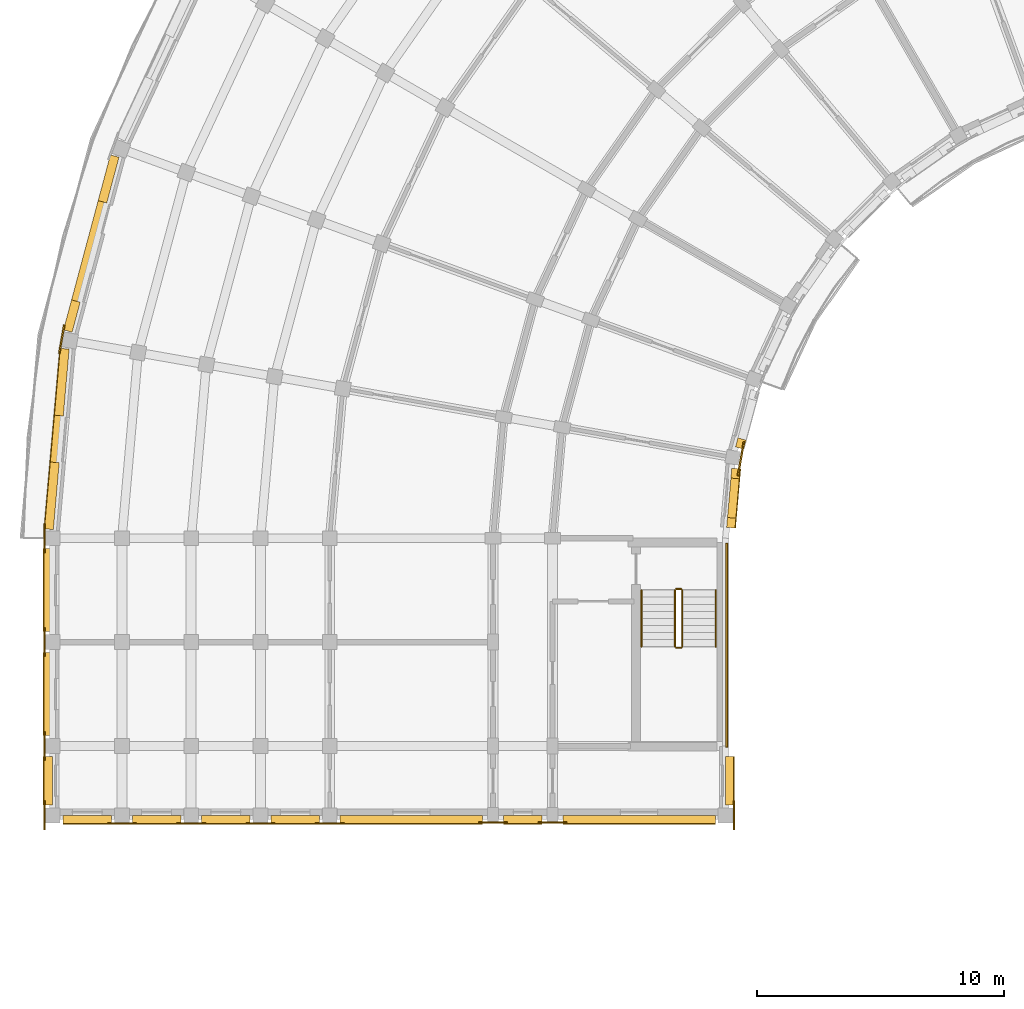
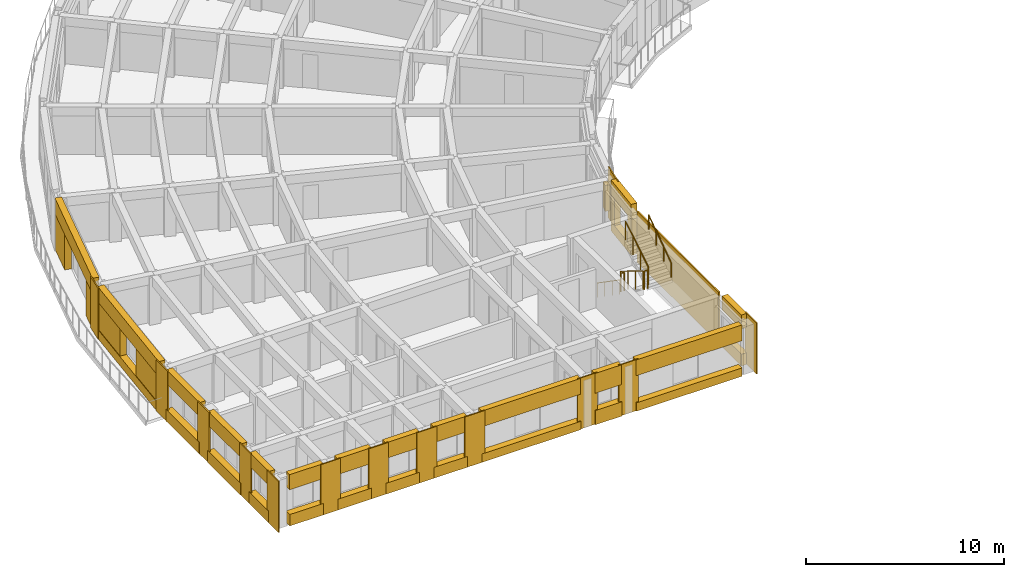
# One storey, part 26 of 36: 48 coverings, 6 railings.
"""IFC4 building model written with IfcOpenShell, lengths in metres."""

from ifc_helpers import new_model, si_unit, direction, frame, origin, origin_2d, place, context, subcontext, project, spatial, polyline, circle, outline, extrude, material, layer, layer_set, type_object, element, save


model = new_model("IFC4")

# Units and contexts
model_context = context("Model", 3, precision=1e-05, world=origin(), true_north=direction((0.0, 1.0)))
body_context = subcontext(model_context, "Body", "Model", "MODEL_VIEW")
ifc_project = project(units=[si_unit("LENGTHUNIT", "METRE"), si_unit("AREAUNIT", "SQUARE_METRE"), si_unit("VOLUMEUNIT", "CUBIC_METRE"), si_unit("PLANEANGLEUNIT", "RADIAN"), si_unit("MASSUNIT", "GRAM", prefix="KILO")], contexts=[model_context])

# Site, building, storey
site_placement = place(None, origin())
site = spatial("IfcSite", under=ifc_project, at=site_placement, CompositionType="ELEMENT")
building_placement = place(site_placement, origin())
building = spatial("IfcBuilding", under=site, at=building_placement, Name="Kiranvali Square Residences", CompositionType="ELEMENT")
storey_placement = place(building_placement, frame((0.0, 0.0, 37.050048828125)))
storey = spatial("IfcBuildingStorey", under=building, at=storey_placement, Name="L11", CompositionType="ELEMENT", Elevation=37.050048828125)

# Coverings
ifc_material_1 = material(Name="Honed Porbandar limestone ashlar facade cladding", Category="masonry")
ifc_layer_1 = layer(ifc_material_1, 0.3798828125)
ifc_layer_set_1 = layer_set([ifc_layer_1], Name="Honed Porbandar limestone ashlar facade cladding")
covering_type_1 = type_object("IfcCoveringType", Name="COV-CLAD-JAMB", PredefinedType="CLADDING", material=ifc_layer_set_1)
covering_1_placement = place(storey_placement, origin())
element("IfcCovering", 1, at=covering_1_placement, inside=storey, type_object=covering_type_1, Name="L11 deep limestone window jamb reveal A-L11-CRV-07.L", PredefinedType="CLADDING", context=body_context, shape_type="SweptSolid", body=[
    extrude(outline(polyline([(4.535888671875, 103.2880859375), (4.041015625, 101.441650390625), (4.388427734375, 101.3486328125), (4.883056640625, 103.195068359375), (4.535888671875, 103.2880859375)])), origin(), (0.0, 0.0, 1.0), 2.179931640625),
])
covering_2_placement = place(storey_placement, origin())
element("IfcCovering", 2, at=covering_2_placement, inside=storey, type_object=covering_type_1, Name="L11 deep limestone window jamb reveal A-L11-CRV-07.R", PredefinedType="CLADDING", context=body_context, shape_type="SweptSolid", body=[
    extrude(outline(polyline([(2.9658203125, 97.42919921875), (2.6416015625, 96.218994140625), (2.989013671875, 96.1259765625), (3.313232421875, 97.336181640625), (2.9658203125, 97.42919921875)])), origin(), (0.0, 0.0, 1.0), 2.179931640625),
])
covering_3_placement = place(storey_placement, frame((0.0, 0.0, 0.56201171875)))
element("IfcCovering", 3, at=covering_3_placement, inside=storey, type_object=covering_type_1, Name="L11 deep limestone window jamb reveal A-L11-CRV-08.L", PredefinedType="CLADDING", context=body_context, shape_type="SweptSolid", body=[
    extrude(outline(polyline([(2.509765625, 95.470458984375), (2.273681640625, 92.771728515625), (2.6318359375, 92.740234375), (2.867919921875, 95.439208984375), (2.509765625, 95.470458984375)])), origin(), (0.0, 0.0, 1.0), 1.64990234375),
])
covering_4_placement = place(storey_placement, frame((0.0, 0.0, 0.56201171875)))
element("IfcCovering", 4, at=covering_4_placement, inside=storey, type_object=covering_type_1, Name="L11 deep limestone window jamb reveal A-L11-CRV-08.R", PredefinedType="CLADDING", context=body_context, shape_type="SweptSolid", body=[
    extrude(outline(polyline([(2.10791015625, 90.87890625), (1.871826171875, 88.179931640625), (2.22998046875, 88.148681640625), (2.466064453125, 90.84765625), (2.10791015625, 90.87890625)])), origin(), (0.0, 0.0, 1.0), 1.64990234375),
])
covering_5_placement = place(storey_placement, frame((0.0, 0.0, 0.6220703125)))
element("IfcCovering", 5, at=covering_5_placement, inside=storey, type_object=covering_type_1, Name="L11 deep limestone window jamb reveal A-L11-GDN-07.R", PredefinedType="CLADDING", context=body_context, shape_type="SweptSolid", body=[
    extrude(outline(polyline([(29.896728515625, 91.850341796875), (29.800048828125, 91.489501953125), (30.1279296875, 91.401611328125), (30.224609375, 91.762451171875), (29.896728515625, 91.850341796875)])), origin(), (0.0, 0.0, 1.0), 1.599853515625),
])
covering_6_placement = place(storey_placement, frame((0.0, 0.0, 0.572021484375)))
element("IfcCovering", 6, at=covering_6_placement, inside=storey, type_object=covering_type_1, Name="L11 deep limestone window jamb reveal A-L11-GDN-08.L", PredefinedType="CLADDING", context=body_context, shape_type="SweptSolid", body=[
    extrude(outline(polyline([(29.647705078125, 90.626220703125), (29.613037109375, 90.229248046875), (29.951171875, 90.19970703125), (29.986083984375, 90.5966796875), (29.647705078125, 90.626220703125)])), origin(), (0.0, 0.0, 1.0), 1.64990234375),
])
covering_7_placement = place(storey_placement, frame((0.0, 0.0, 0.572021484375)))
element("IfcCovering", 7, at=covering_7_placement, inside=storey, type_object=covering_type_1, Name="L11 deep limestone window jamb reveal A-L11-GDN-08.R", PredefinedType="CLADDING", context=body_context, shape_type="SweptSolid", body=[
    extrude(outline(polyline([(29.4736328125, 88.63525390625), (29.43896484375, 88.23828125), (29.777099609375, 88.208740234375), (29.811767578125, 88.605712890625), (29.4736328125, 88.63525390625)])), origin(), (0.0, 0.0, 1.0), 1.64990234375),
])
ifc_layer_2 = layer(ifc_material_1, 0.06494140625)
ifc_layer_set_2 = layer_set([ifc_layer_2], Name="Honed Porbandar limestone ashlar facade cladding")
covering_type_2 = type_object("IfcCoveringType", Name="COV-CLAD-PIER", PredefinedType="CLADDING", material=ifc_layer_set_2)
covering_8_placement = place(storey_placement, frame((0.0, 0.0, 0.0048828125)))
element("IfcCovering", 8, at=covering_8_placement, inside=storey, type_object=covering_type_2, Name="L11 Classical limestone corner pilaster CLAD-PR-A-L11-A08", PredefinedType="CLADDING", context=body_context, shape_type="SweptSolid", body=[
    extrude(outline(polyline([(2.63720703125, 96.4228515625), (2.435791015625, 95.280517578125), (2.502197265625, 95.268798828125), (2.70361328125, 96.4111328125), (2.63720703125, 96.4228515625)])), origin(), (0.0, 0.0, 1.0), 3.14013671875),
])
covering_9_placement = place(storey_placement, frame((0.0, 0.0, 0.0048828125)))
element("IfcCovering", 9, at=covering_9_placement, inside=storey, type_object=covering_type_2, Name="L11 Classical limestone corner pilaster CLAD-PR-A-L11-A09", PredefinedType="CLADDING", context=body_context, shape_type="SweptSolid", body=[
    extrude(outline(polyline([(1.83203125, 88.3798828125), (1.83203125, 87.219970703125), (1.8994140625, 87.219970703125), (1.8994140625, 88.3798828125), (1.83203125, 88.3798828125)])), origin(), (0.0, 0.0, 1.0), 3.14013671875),
])
covering_10_placement = place(storey_placement, frame((0.0, 0.0, 0.0048828125)))
element("IfcCovering", 10, at=covering_10_placement, inside=storey, type_object=covering_type_2, Name="Block A L11 Arm 2 stair limestone ashlar cladding", PredefinedType="CLADDING", context=body_context, shape_type="SweptSolid", body=[
    extrude(outline(polyline([(29.402099609375, 87.60009765625), (29.402099609375, 79.35009765625), (29.47998046875, 79.35009765625), (29.47998046875, 87.60009765625), (29.402099609375, 87.60009765625)])), origin(), (0.0, 0.0, 1.0), 3.14013671875),
])
ifc_layer_3 = layer(ifc_material_1, 0.050048828125)
ifc_layer_set_3 = layer_set([ifc_layer_3], Name="Honed Porbandar limestone ashlar facade cladding")
covering_type_3 = type_object("IfcCoveringType", Name="COV-CLAD-PIER-IN", PredefinedType="CLADDING", material=ifc_layer_set_3)
covering_11_placement = place(storey_placement, frame((0.0, 0.0, 0.0048828125)))
element("IfcCovering", 11, at=covering_11_placement, inside=storey, type_object=covering_type_3, Name="L11 Classical garden courtyard pilaster CLAD-PRIN-A-L11-A08", PredefinedType="CLADDING", context=body_context, shape_type="SweptSolid", body=[
    extrude(outline(polyline([(29.926513671875, 90.311279296875), (30.169677734375, 91.68994140625), (30.10302734375, 91.70166015625), (29.860107421875, 90.322998046875), (29.926513671875, 90.311279296875)])), origin(), (0.0, 0.0, 1.0), 3.14013671875),
])
covering_12_placement = place(storey_placement, frame((0.0, 0.0, 0.0048828125)))
element("IfcCovering", 12, at=covering_12_placement, inside=storey, type_object=covering_type_3, Name="L11 Classical limestone pilaster casing CLAD-PRA2I-A-L11-V112", PredefinedType="CLADDING", context=body_context, shape_type="SweptSolid", body=[
    extrude(outline(polyline([(29.700439453125, 77.179931640625), (29.700439453125, 76.02001953125), (29.76806640625, 76.02001953125), (29.76806640625, 77.179931640625), (29.700439453125, 77.179931640625)])), origin(), (0.0, 0.0, 1.0), 3.14013671875),
])
ifc_layer_4 = layer(ifc_material_1, 0.054931640625)
ifc_layer_set_4 = layer_set([ifc_layer_4], Name="Honed Porbandar limestone ashlar facade cladding")
covering_type_4 = type_object("IfcCoveringType", Name="COV-CLAD-PIER-UP", PredefinedType="CLADDING", material=ifc_layer_set_4)
covering_13_placement = place(storey_placement, frame((0.0, 0.0, 0.0048828125)))
element("IfcCovering", 13, at=covering_13_placement, inside=storey, type_object=covering_type_4, Name="L11 Classical limestone pilaster casing CLAD-PR-A-L11-V42", PredefinedType="CLADDING", context=body_context, shape_type="SweptSolid", body=[
    extrude(outline(polyline([(1.83203125, 84.179931640625), (1.83203125, 83.02001953125), (1.8994140625, 83.02001953125), (1.8994140625, 84.179931640625), (1.83203125, 84.179931640625)])), origin(), (0.0, 0.0, 1.0), 3.14013671875),
])
covering_14_placement = place(storey_placement, frame((0.0, 0.0, 0.0048828125)))
element("IfcCovering", 14, at=covering_14_placement, inside=storey, type_object=covering_type_4, Name="L11 Classical limestone pilaster casing CLAD-PR-A-L11-V84", PredefinedType="CLADDING", context=body_context, shape_type="SweptSolid", body=[
    extrude(outline(polyline([(1.83203125, 79.97998046875), (1.83203125, 78.820068359375), (1.8994140625, 78.820068359375), (1.8994140625, 79.97998046875), (1.83203125, 79.97998046875)])), origin(), (0.0, 0.0, 1.0), 3.14013671875),
])
covering_15_placement = place(storey_placement, frame((0.0, 0.0, 0.0048828125)))
element("IfcCovering", 15, at=covering_15_placement, inside=storey, type_object=covering_type_4, Name="L11 Classical limestone pilaster casing CLAD-PR-A-L11-V112", PredefinedType="CLADDING", context=body_context, shape_type="SweptSolid", body=[
    extrude(outline(polyline([(1.83203125, 77.179931640625), (1.83203125, 76.02001953125), (1.8994140625, 76.02001953125), (1.8994140625, 77.179931640625), (1.83203125, 77.179931640625)])), origin(), (0.0, 0.0, 1.0), 3.14013671875),
])
covering_16_placement = place(storey_placement, frame((0.0, 0.0, 0.0048828125)))
element("IfcCovering", 16, at=covering_16_placement, inside=storey, type_object=covering_type_4, Name="L11 Classical limestone pilaster casing CLAD-PRA2E-A-L11-R258", PredefinedType="CLADDING", context=body_context, shape_type="SweptSolid", body=[
    extrude(outline(polyline([(22.97998046875, 76.349609375), (21.820068359375, 76.349609375), (21.820068359375, 76.281982421875), (22.97998046875, 76.281982421875), (22.97998046875, 76.349609375)])), origin(), (0.0, 0.0, 1.0), 3.14013671875),
])
covering_17_placement = place(storey_placement, frame((0.0, 0.0, 0.0048828125)))
element("IfcCovering", 17, at=covering_17_placement, inside=storey, type_object=covering_type_4, Name="L11 Classical limestone pilaster casing CLAD-PRA2E-A-L11-R282", PredefinedType="CLADDING", context=body_context, shape_type="SweptSolid", body=[
    extrude(outline(polyline([(20.580078125, 76.349609375), (19.419921875, 76.349609375), (19.419921875, 76.281982421875), (20.580078125, 76.281982421875), (20.580078125, 76.349609375)])), origin(), (0.0, 0.0, 1.0), 3.14013671875),
])
covering_18_placement = place(storey_placement, frame((0.0, 0.0, 0.0048828125)))
element("IfcCovering", 18, at=covering_18_placement, inside=storey, type_object=covering_type_4, Name="L11 Classical limestone pilaster casing CLAD-PRA2E-A-L11-R348", PredefinedType="CLADDING", context=body_context, shape_type="SweptSolid", body=[
    extrude(outline(polyline([(13.97998046875, 76.299560546875), (12.820068359375, 76.299560546875), (12.820068359375, 76.23193359375), (13.97998046875, 76.23193359375), (13.97998046875, 76.299560546875)])), origin(), (0.0, 0.0, 1.0), 3.14013671875),
])
covering_19_placement = place(storey_placement, frame((0.0, 0.0, 0.0048828125)))
element("IfcCovering", 19, at=covering_19_placement, inside=storey, type_object=covering_type_4, Name="L11 Classical limestone pilaster casing CLAD-PRA2E-A-L11-R376", PredefinedType="CLADDING", context=body_context, shape_type="SweptSolid", body=[
    extrude(outline(polyline([(11.179931640625, 76.299560546875), (10.02001953125, 76.299560546875), (10.02001953125, 76.23193359375), (11.179931640625, 76.23193359375), (11.179931640625, 76.299560546875)])), origin(), (0.0, 0.0, 1.0), 3.14013671875),
])
covering_20_placement = place(storey_placement, frame((0.0, 0.0, 0.0048828125)))
element("IfcCovering", 20, at=covering_20_placement, inside=storey, type_object=covering_type_4, Name="L11 Classical limestone pilaster casing CLAD-PRA2E-A-L11-R404", PredefinedType="CLADDING", context=body_context, shape_type="SweptSolid", body=[
    extrude(outline(polyline([(8.3798828125, 76.299560546875), (7.219970703125, 76.299560546875), (7.219970703125, 76.23193359375), (8.3798828125, 76.23193359375), (8.3798828125, 76.299560546875)])), origin(), (0.0, 0.0, 1.0), 3.14013671875),
])
covering_21_placement = place(storey_placement, frame((0.0, 0.0, 0.0048828125)))
element("IfcCovering", 21, at=covering_21_placement, inside=storey, type_object=covering_type_4, Name="L11 Classical limestone pilaster casing CLAD-PRA2E-A-L11-R432", PredefinedType="CLADDING", context=body_context, shape_type="SweptSolid", body=[
    extrude(outline(polyline([(5.580078125, 76.299560546875), (4.419921875, 76.299560546875), (4.419921875, 76.23193359375), (5.580078125, 76.23193359375), (5.580078125, 76.299560546875)])), origin(), (0.0, 0.0, 1.0), 3.14013671875),
])
ifc_layer_5 = layer(ifc_material_1, 0.360107421875)
ifc_layer_set_5 = layer_set([ifc_layer_5], Name="Honed Porbandar limestone ashlar facade cladding")
covering_type_5 = type_object("IfcCoveringType", Name="COV-CLAD-WALL", PredefinedType="CLADDING", material=ifc_layer_set_5)
covering_22_placement = place(storey_placement, frame((0.0, 0.0, 2.179931640625)))
element("IfcCovering", 22, at=covering_22_placement, inside=storey, type_object=covering_type_5, Name="L11 light limestone spandrel lintel A-L11-CRV-07", PredefinedType="CLADDING", context=body_context, shape_type="SweptSolid", body=[
    extrude(outline(polyline([(4.535888671875, 103.2880859375), (2.6416015625, 96.218994140625), (2.989013671875, 96.1259765625), (4.883056640625, 103.195068359375), (4.535888671875, 103.2880859375)])), origin(), (0.0, 0.0, 1.0), 0.965087890625),
])
covering_23_placement = place(storey_placement, frame((0.0, 0.0, 2.2119140625)))
element("IfcCovering", 23, at=covering_23_placement, inside=storey, type_object=covering_type_5, Name="L11 light limestone spandrel lintel A-L11-CRV-08", PredefinedType="CLADDING", context=body_context, shape_type="SweptSolid", body=[
    extrude(outline(polyline([(2.509765625, 95.470458984375), (1.871826171875, 88.179931640625), (2.22998046875, 88.148681640625), (2.867919921875, 95.439208984375), (2.509765625, 95.470458984375)])), origin(), (0.0, 0.0, 1.0), 0.93310546875),
])
covering_24_placement = place(storey_placement, frame((0.0, 0.0, 2.221923828125)))
element("IfcCovering", 24, at=covering_24_placement, inside=storey, type_object=covering_type_5, Name="L11 light limestone spandrel lintel A-L11-GDN-08", PredefinedType="CLADDING", context=body_context, shape_type="SweptSolid", body=[
    extrude(outline(polyline([(29.647705078125, 90.626220703125), (29.43896484375, 88.23828125), (29.777099609375, 88.208740234375), (29.986083984375, 90.5966796875), (29.647705078125, 90.626220703125)])), origin(), (0.0, 0.0, 1.0), 0.923095703125),
])
covering_25_placement = place(storey_placement, frame((0.0, 0.0, 2.280029296875)))
element("IfcCovering", 25, at=covering_25_placement, inside=storey, type_object=covering_type_5, Name="L11 light limestone spandrel lintel A-L11-A2O-0", PredefinedType="CLADDING", context=body_context, shape_type="SweptSolid", body=[
    extrude(outline(polyline([(1.85009765625, 87.3798828125), (1.85009765625, 84.02001953125), (2.199462890625, 84.02001953125), (2.199462890625, 87.3798828125), (1.85009765625, 87.3798828125)])), origin(), (0.0, 0.0, 1.0), 0.864990234375),
])
covering_26_placement = place(storey_placement, frame((0.0, 0.0, 2.280029296875)))
element("IfcCovering", 26, at=covering_26_placement, inside=storey, type_object=covering_type_5, Name="L11 light limestone spandrel lintel A-L11-A2O-1", PredefinedType="CLADDING", context=body_context, shape_type="SweptSolid", body=[
    extrude(outline(polyline([(1.85009765625, 83.179931640625), (1.85009765625, 79.820068359375), (2.199462890625, 79.820068359375), (2.199462890625, 83.179931640625), (1.85009765625, 83.179931640625)])), origin(), (0.0, 0.0, 1.0), 0.864990234375),
])
covering_27_placement = place(storey_placement, frame((0.0, 0.0, 2.280029296875)))
element("IfcCovering", 27, at=covering_27_placement, inside=storey, type_object=covering_type_5, Name="L11 light limestone spandrel lintel A-L11-A2O-2", PredefinedType="CLADDING", context=body_context, shape_type="SweptSolid", body=[
    extrude(outline(polyline([(1.85009765625, 78.97998046875), (1.85009765625, 77.02001953125), (2.199462890625, 77.02001953125), (2.199462890625, 78.97998046875), (1.85009765625, 78.97998046875)])), origin(), (0.0, 0.0, 1.0), 0.864990234375),
])
covering_28_placement = place(storey_placement, frame((0.0, 0.0, 2.27197265625)))
element("IfcCovering", 28, at=covering_28_placement, inside=storey, type_object=covering_type_5, Name="L11 light limestone spandrel lintel A-L11-A2I-0", PredefinedType="CLADDING", context=body_context, shape_type="SweptSolid", body=[
    extrude(outline(polyline([(29.400390625, 78.97998046875), (29.400390625, 77.02001953125), (29.719970703125, 77.02001953125), (29.719970703125, 78.97998046875), (29.400390625, 78.97998046875)])), origin(), (0.0, 0.0, 1.0), 0.873046875),
])
covering_29_placement = place(storey_placement, frame((0.0, 0.0, 2.171875)))
element("IfcCovering", 29, at=covering_29_placement, inside=storey, type_object=covering_type_5, Name="L11 light limestone spandrel lintel A-L11-A2END-0", PredefinedType="CLADDING", context=body_context, shape_type="SweptSolid", body=[
    extrude(outline(polyline([(28.97998046875, 76.599609375), (22.820068359375, 76.599609375), (22.820068359375, 76.260009765625), (28.97998046875, 76.260009765625), (28.97998046875, 76.599609375)])), origin(), (0.0, 0.0, 1.0), 0.97314453125),
])
covering_30_placement = place(storey_placement, frame((0.0, 0.0, 1.929931640625)))
element("IfcCovering", 30, at=covering_30_placement, inside=storey, type_object=covering_type_5, Name="L11 light limestone spandrel lintel A-L11-A2END-1", PredefinedType="CLADDING", context=body_context, shape_type="SweptSolid", body=[
    extrude(outline(polyline([(21.97998046875, 76.599609375), (20.419921875, 76.599609375), (20.419921875, 76.260009765625), (21.97998046875, 76.260009765625), (21.97998046875, 76.599609375)])), origin(), (0.0, 0.0, 1.0), 1.215087890625),
])
covering_31_placement = place(storey_placement, frame((0.0, 0.0, 2.171875)))
element("IfcCovering", 31, at=covering_31_placement, inside=storey, type_object=covering_type_5, Name="L11 light limestone spandrel lintel A-L11-A2END-2", PredefinedType="CLADDING", context=body_context, shape_type="SweptSolid", body=[
    extrude(outline(polyline([(19.580078125, 76.599609375), (13.820068359375, 76.599609375), (13.820068359375, 76.260009765625), (19.580078125, 76.260009765625), (19.580078125, 76.599609375)])), origin(), (0.0, 0.0, 1.0), 0.97314453125),
])
covering_32_placement = place(storey_placement, frame((0.0, 0.0, 2.171875)))
element("IfcCovering", 32, at=covering_32_placement, inside=storey, type_object=covering_type_5, Name="L11 light limestone spandrel lintel A-L11-A2END-3", PredefinedType="CLADDING", context=body_context, shape_type="SweptSolid", body=[
    extrude(outline(polyline([(12.97998046875, 76.599609375), (11.02001953125, 76.599609375), (11.02001953125, 76.260009765625), (12.97998046875, 76.260009765625), (12.97998046875, 76.599609375)])), origin(), (0.0, 0.0, 1.0), 0.97314453125),
])
covering_33_placement = place(storey_placement, frame((0.0, 0.0, 2.171875)))
element("IfcCovering", 33, at=covering_33_placement, inside=storey, type_object=covering_type_5, Name="L11 light limestone spandrel lintel A-L11-A2END-4", PredefinedType="CLADDING", context=body_context, shape_type="SweptSolid", body=[
    extrude(outline(polyline([(10.179931640625, 76.599609375), (8.219970703125, 76.599609375), (8.219970703125, 76.260009765625), (10.179931640625, 76.260009765625), (10.179931640625, 76.599609375)])), origin(), (0.0, 0.0, 1.0), 0.97314453125),
])
covering_34_placement = place(storey_placement, frame((0.0, 0.0, 2.171875)))
element("IfcCovering", 34, at=covering_34_placement, inside=storey, type_object=covering_type_5, Name="L11 light limestone spandrel lintel A-L11-A2END-5", PredefinedType="CLADDING", context=body_context, shape_type="SweptSolid", body=[
    extrude(outline(polyline([(7.3798828125, 76.599609375), (5.419921875, 76.599609375), (5.419921875, 76.260009765625), (7.3798828125, 76.260009765625), (7.3798828125, 76.599609375)])), origin(), (0.0, 0.0, 1.0), 0.97314453125),
])
covering_35_placement = place(storey_placement, frame((0.0, 0.0, 2.2119140625)))
element("IfcCovering", 35, at=covering_35_placement, inside=storey, type_object=covering_type_5, Name="L11 light limestone spandrel lintel A-L11-A2END-6", PredefinedType="CLADDING", context=body_context, shape_type="SweptSolid", body=[
    extrude(outline(polyline([(4.580078125, 76.599609375), (2.6201171875, 76.599609375), (2.6201171875, 76.260009765625), (4.580078125, 76.260009765625), (4.580078125, 76.599609375)])), origin(), (0.0, 0.0, 1.0), 0.93310546875),
])
ifc_layer_6 = layer(ifc_material_1, 0.320068359375)
ifc_layer_set_6 = layer_set([ifc_layer_6], Name="Honed Porbandar limestone ashlar facade cladding")
covering_type_6 = type_object("IfcCoveringType", Name="COV-CLAD-WALL-UP", PredefinedType="CLADDING", material=ifc_layer_set_6)
covering_36_placement = place(storey_placement, frame((0.0, 0.0, 0.0048828125)))
element("IfcCovering", 36, at=covering_36_placement, inside=storey, type_object=covering_type_6, Name="L11 limestone window sill apron A-L11-CRV-08", PredefinedType="CLADDING", context=body_context, shape_type="SweptSolid", body=[
    extrude(outline(polyline([(2.479736328125, 95.47314453125), (1.842041015625, 88.1826171875), (2.22998046875, 88.148681640625), (2.867919921875, 95.439208984375), (2.479736328125, 95.47314453125)])), origin(), (0.0, 0.0, 1.0), 0.55712890625),
])
covering_37_placement = place(storey_placement, frame((0.0, 0.0, 0.0048828125)))
element("IfcCovering", 37, at=covering_37_placement, inside=storey, type_object=covering_type_6, Name="L11 limestone window sill apron A-L11-GDN-08", PredefinedType="CLADDING", context=body_context, shape_type="SweptSolid", body=[
    extrude(outline(polyline([(29.647705078125, 90.626220703125), (29.43896484375, 88.23828125), (29.806884765625, 88.2060546875), (30.015869140625, 90.593994140625), (29.647705078125, 90.626220703125)])), origin(), (0.0, 0.0, 1.0), 0.567138671875),
])
covering_38_placement = place(storey_placement, frame((0.0, 0.0, 0.0048828125)))
element("IfcCovering", 38, at=covering_38_placement, inside=storey, type_object=covering_type_6, Name="L11 limestone window sill apron A-L11-A2O-0", PredefinedType="CLADDING", context=body_context, shape_type="SweptSolid", body=[
    extrude(outline(polyline([(1.820068359375, 87.3798828125), (1.820068359375, 84.02001953125), (2.199462890625, 84.02001953125), (2.199462890625, 87.3798828125), (1.820068359375, 87.3798828125)])), origin(), (0.0, 0.0, 1.0), 0.72509765625),
])
covering_39_placement = place(storey_placement, frame((0.0, 0.0, 0.0048828125)))
element("IfcCovering", 39, at=covering_39_placement, inside=storey, type_object=covering_type_6, Name="L11 limestone window sill apron A-L11-A2O-1", PredefinedType="CLADDING", context=body_context, shape_type="SweptSolid", body=[
    extrude(outline(polyline([(1.820068359375, 83.179931640625), (1.820068359375, 79.820068359375), (2.199462890625, 79.820068359375), (2.199462890625, 83.179931640625), (1.820068359375, 83.179931640625)])), origin(), (0.0, 0.0, 1.0), 0.72509765625),
])
covering_40_placement = place(storey_placement, frame((0.0, 0.0, 0.0048828125)))
element("IfcCovering", 40, at=covering_40_placement, inside=storey, type_object=covering_type_6, Name="L11 limestone window sill apron A-L11-A2O-2", PredefinedType="CLADDING", context=body_context, shape_type="SweptSolid", body=[
    extrude(outline(polyline([(1.820068359375, 78.97998046875), (1.820068359375, 77.02001953125), (2.199462890625, 77.02001953125), (2.199462890625, 78.97998046875), (1.820068359375, 78.97998046875)])), origin(), (0.0, 0.0, 1.0), 0.72509765625),
])
covering_41_placement = place(storey_placement, frame((0.0, 0.0, 0.0048828125)))
element("IfcCovering", 41, at=covering_41_placement, inside=storey, type_object=covering_type_6, Name="L11 limestone window sill apron A-L11-A2I-0", PredefinedType="CLADDING", context=body_context, shape_type="SweptSolid", body=[
    extrude(outline(polyline([(29.400390625, 78.97998046875), (29.400390625, 77.02001953125), (29.75, 77.02001953125), (29.75, 78.97998046875), (29.400390625, 78.97998046875)])), origin(), (0.0, 0.0, 1.0), 0.717041015625),
])
covering_42_placement = place(storey_placement, frame((0.0, 0.0, 0.0048828125)))
element("IfcCovering", 42, at=covering_42_placement, inside=storey, type_object=covering_type_6, Name="L11 limestone window sill apron A-L11-A2END-0", PredefinedType="CLADDING", context=body_context, shape_type="SweptSolid", body=[
    extrude(outline(polyline([(28.97998046875, 76.599609375), (22.820068359375, 76.599609375), (22.820068359375, 76.22998046875), (28.97998046875, 76.22998046875), (28.97998046875, 76.599609375)])), origin(), (0.0, 0.0, 1.0), 0.51708984375),
])
covering_43_placement = place(storey_placement, frame((0.0, 0.0, 0.0048828125)))
element("IfcCovering", 43, at=covering_43_placement, inside=storey, type_object=covering_type_6, Name="L11 limestone window sill apron A-L11-A2END-1", PredefinedType="CLADDING", context=body_context, shape_type="SweptSolid", body=[
    extrude(outline(polyline([(21.97998046875, 76.599609375), (20.419921875, 76.599609375), (20.419921875, 76.22998046875), (21.97998046875, 76.22998046875), (21.97998046875, 76.599609375)])), origin(), (0.0, 0.0, 1.0), 0.875),
])
covering_44_placement = place(storey_placement, frame((0.0, 0.0, 0.0048828125)))
element("IfcCovering", 44, at=covering_44_placement, inside=storey, type_object=covering_type_6, Name="L11 limestone window sill apron A-L11-A2END-2", PredefinedType="CLADDING", context=body_context, shape_type="SweptSolid", body=[
    extrude(outline(polyline([(19.580078125, 76.599609375), (13.820068359375, 76.599609375), (13.820068359375, 76.22998046875), (19.580078125, 76.22998046875), (19.580078125, 76.599609375)])), origin(), (0.0, 0.0, 1.0), 0.51708984375),
])
covering_45_placement = place(storey_placement, frame((0.0, 0.0, 0.0048828125)))
element("IfcCovering", 45, at=covering_45_placement, inside=storey, type_object=covering_type_6, Name="L11 limestone window sill apron A-L11-A2END-3", PredefinedType="CLADDING", context=body_context, shape_type="SweptSolid", body=[
    extrude(outline(polyline([(12.97998046875, 76.599609375), (11.02001953125, 76.599609375), (11.02001953125, 76.22998046875), (12.97998046875, 76.22998046875), (12.97998046875, 76.599609375)])), origin(), (0.0, 0.0, 1.0), 0.6669921875),
])
covering_46_placement = place(storey_placement, frame((0.0, 0.0, 0.0048828125)))
element("IfcCovering", 46, at=covering_46_placement, inside=storey, type_object=covering_type_6, Name="L11 limestone window sill apron A-L11-A2END-4", PredefinedType="CLADDING", context=body_context, shape_type="SweptSolid", body=[
    extrude(outline(polyline([(10.179931640625, 76.599609375), (8.219970703125, 76.599609375), (8.219970703125, 76.22998046875), (10.179931640625, 76.22998046875), (10.179931640625, 76.599609375)])), origin(), (0.0, 0.0, 1.0), 0.6669921875),
])
covering_47_placement = place(storey_placement, frame((0.0, 0.0, 0.0048828125)))
element("IfcCovering", 47, at=covering_47_placement, inside=storey, type_object=covering_type_6, Name="L11 limestone window sill apron A-L11-A2END-5", PredefinedType="CLADDING", context=body_context, shape_type="SweptSolid", body=[
    extrude(outline(polyline([(7.3798828125, 76.599609375), (5.419921875, 76.599609375), (5.419921875, 76.22998046875), (7.3798828125, 76.22998046875), (7.3798828125, 76.599609375)])), origin(), (0.0, 0.0, 1.0), 0.6669921875),
])
covering_48_placement = place(storey_placement, frame((0.0, 0.0, 0.0048828125)))
element("IfcCovering", 48, at=covering_48_placement, inside=storey, type_object=covering_type_6, Name="L11 limestone window sill apron A-L11-A2END-6", PredefinedType="CLADDING", context=body_context, shape_type="SweptSolid", body=[
    extrude(outline(polyline([(4.580078125, 76.599609375), (2.6201171875, 76.599609375), (2.6201171875, 76.22998046875), (4.580078125, 76.22998046875), (4.580078125, 76.599609375)])), origin(), (0.0, 0.0, 1.0), 0.70703125),
])

# Railings
ifc_material_2 = material(Name="Brushed stainless steel tubular handrail", Category="steel")
railing_type_1 = type_object("IfcRailingType", Name="RL-HANDRAIL-900", PredefinedType="HANDRAIL", material=ifc_material_2)
railing_1_placement = place(storey_placement, frame((26.0, 85.699951171875, 0.175048828125)))
element("IfcRailing", 49, at=railing_1_placement, inside=storey, type_object=railing_type_1, Name="L11 ST-A3 stair handrail 1", PredefinedType="HANDRAIL", context=body_context, shape_type="SweptSolid", body=[
    extrude(circle(Radius=0.02392578125, at=origin_2d()), frame((0.0, 0.0, 0.8759765625), z_axis=(0.0, -0.82278801735, 0.568348377763), x_axis=(1.0, 0.0, 0.0)), (0.0, 0.0, 1.0), 2.77099609375),
    extrude(circle(Radius=0.02099609375, at=origin_2d()), origin(), (0.0, 0.0, 1.0), 0.851806640625),
    extrude(circle(Radius=0.02099609375, at=origin_2d()), frame((0.0, -0.760009765625, 0.52490234375)), (0.0, 0.0, 1.0), 0.851806640625),
    extrude(circle(Radius=0.02099609375, at=origin_2d()), frame((0.0, -1.52001953125, 1.050048828125)), (0.0, 0.0, 1.0), 0.851806640625),
    extrude(circle(Radius=0.02099609375, at=origin_2d()), frame((0.0, -2.280029296875, 1.574951171875)), (0.0, 0.0, 1.0), 0.851806640625),
])
railing_2_placement = place(storey_placement, frame((29.0, 83.419921875, 1.75)))
element("IfcRailing", 50, at=railing_2_placement, inside=storey, type_object=railing_type_1, Name="L11 ST-A3 stair handrail 2", PredefinedType="HANDRAIL", context=body_context, shape_type="SweptSolid", body=[
    extrude(circle(Radius=0.02392578125, at=origin_2d()), frame((0.0, 0.0, 0.8759765625), z_axis=(0.0, 0.82278801735, 0.568348377763), x_axis=(-1.0, 0.0, 0.0)), (0.0, 0.0, 1.0), 2.77099609375),
    extrude(circle(Radius=0.02099609375, at=origin_2d()), origin(), (0.0, 0.0, 1.0), 0.851806640625),
    extrude(circle(Radius=0.02099609375, at=origin_2d()), frame((0.0, 0.760009765625, 0.52490234375)), (0.0, 0.0, 1.0), 0.851806640625),
    extrude(circle(Radius=0.02099609375, at=origin_2d()), frame((0.0, 1.52001953125, 1.050048828125)), (0.0, 0.0, 1.0), 0.851806640625),
    extrude(circle(Radius=0.02099609375, at=origin_2d()), frame((0.0, 2.280029296875, 1.574951171875)), (0.0, 0.0, 1.0), 0.851806640625),
])
ifc_material_3 = material(Name="Powder-coated architectural bronze balustrade", Category="steel")
railing_type_2 = type_object("IfcRailingType", Name="RL-ST-GUARD-1200", PredefinedType="GUARDRAIL", material=ifc_material_3)
railing_3_placement = place(storey_placement, frame((27.35009765625, 85.699951171875, 0.175048828125)))
element("IfcRailing", 51, at=railing_3_placement, inside=storey, type_object=railing_type_2, Name="L11 ST-A3 stair guard 1", PredefinedType="GUARDRAIL", context=body_context, shape_type="SweptSolid", body=[
    extrude(circle(Radius=0.02392578125, at=origin_2d()), frame((0.0, 0.0, 1.1259765625), z_axis=(0.0, -0.852190499154, 0.523231643875), x_axis=(1.0, 0.0, 0.0)), (0.0, 0.0, 1.0), 2.675537109375),
    extrude(circle(Radius=0.02099609375, at=origin_2d()), origin(), (0.0, 0.0, 1.0), 1.101806640625),
    extrude(circle(Radius=0.02099609375, at=origin_2d()), frame((0.0, -0.760009765625, 0.466552734375)), (0.0, 0.0, 1.0), 1.101806640625),
    extrude(circle(Radius=0.02099609375, at=origin_2d()), frame((0.0, -1.52001953125, 0.933349609375)), (0.0, 0.0, 1.0), 1.101806640625),
    extrude(circle(Radius=0.02099609375, at=origin_2d()), frame((0.0, -2.280029296875, 1.39990234375)), (0.0, 0.0, 1.0), 1.101806640625),
])
railing_4_placement = place(storey_placement, frame((27.39990234375, 83.3701171875, 1.574951171875)))
element("IfcRailing", 52, at=railing_4_placement, inside=storey, type_object=railing_type_2, Name="L11 ST-A3 stair guard 2", PredefinedType="GUARDRAIL", context=body_context, shape_type="SweptSolid", body=[
    extrude(circle(Radius=0.02392578125, at=origin_2d()), frame((0.0, 0.0, 1.1259765625), z_axis=(1.0, 0.0, 0.0), x_axis=(0.0, 1.0, 0.0)), (0.0, 0.0, 1.0), 0.2001953125),
    extrude(circle(Radius=0.02099609375, at=origin_2d()), origin(), (0.0, 0.0, 1.0), 1.101806640625),
    extrude(circle(Radius=0.02099609375, at=origin_2d()), frame((0.2001953125, 0.0, 0.0)), (0.0, 0.0, 1.0), 1.101806640625),
])
railing_5_placement = place(storey_placement, frame((27.64990234375, 83.419921875, 1.75)))
element("IfcRailing", 53, at=railing_5_placement, inside=storey, type_object=railing_type_2, Name="L11 ST-A3 stair guard 3", PredefinedType="GUARDRAIL", context=body_context, shape_type="SweptSolid", body=[
    extrude(circle(Radius=0.02392578125, at=origin_2d()), frame((0.0, 0.0, 1.1259765625), z_axis=(0.0, 0.852190499154, 0.523231643875), x_axis=(-1.0, 0.0, 0.0)), (0.0, 0.0, 1.0), 2.675537109375),
    extrude(circle(Radius=0.02099609375, at=origin_2d()), origin(), (0.0, 0.0, 1.0), 1.101806640625),
    extrude(circle(Radius=0.02099609375, at=origin_2d()), frame((0.0, 0.760009765625, 0.466552734375)), (0.0, 0.0, 1.0), 1.101806640625),
    extrude(circle(Radius=0.02099609375, at=origin_2d()), frame((0.0, 1.52001953125, 0.933349609375)), (0.0, 0.0, 1.0), 1.101806640625),
    extrude(circle(Radius=0.02099609375, at=origin_2d()), frame((0.0, 2.280029296875, 1.39990234375)), (0.0, 0.0, 1.0), 1.101806640625),
])
railing_6_placement = place(storey_placement, frame((27.39990234375, 85.75, 0.0)))
element("IfcRailing", 54, at=railing_6_placement, inside=storey, type_object=railing_type_2, Name="L11 ST-A3 stair guard 4", PredefinedType="GUARDRAIL", context=body_context, shape_type="SweptSolid", body=[
    extrude(circle(Radius=0.02392578125, at=origin_2d()), frame((0.0, 0.0, 1.1259765625), z_axis=(1.0, 0.0, 0.0), x_axis=(0.0, 1.0, 0.0)), (0.0, 0.0, 1.0), 0.2001953125),
    extrude(circle(Radius=0.02099609375, at=origin_2d()), origin(), (0.0, 0.0, 1.0), 1.101806640625),
    extrude(circle(Radius=0.02099609375, at=origin_2d()), frame((0.2001953125, 0.0, 0.0)), (0.0, 0.0, 1.0), 1.101806640625),
])

save(model, "model.ifc")
